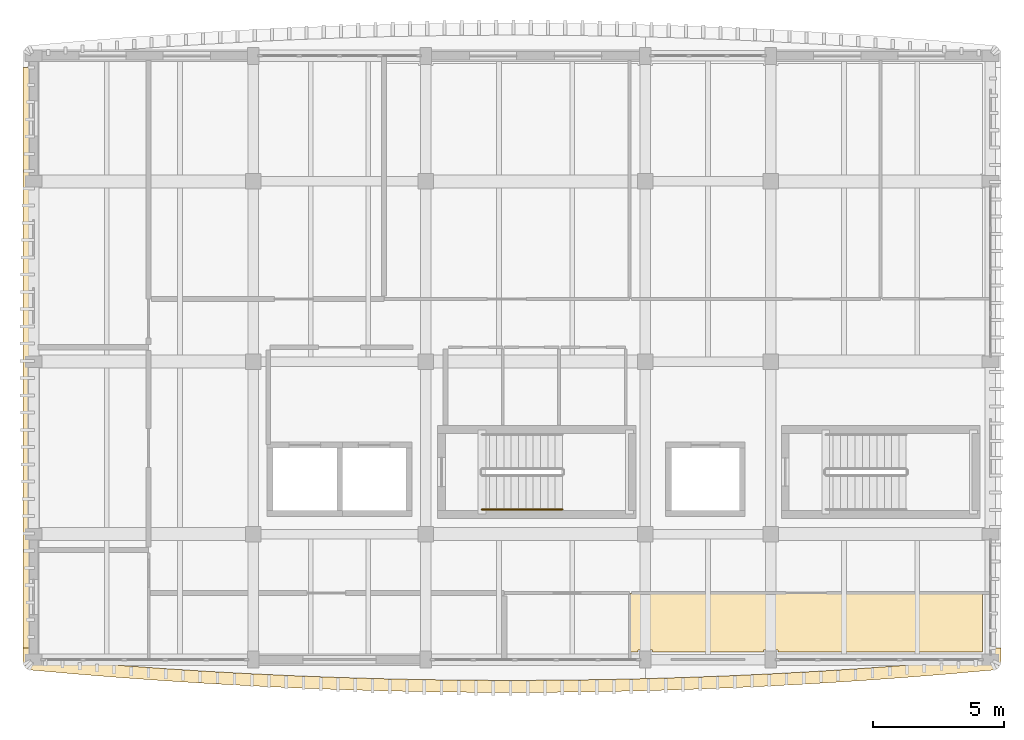
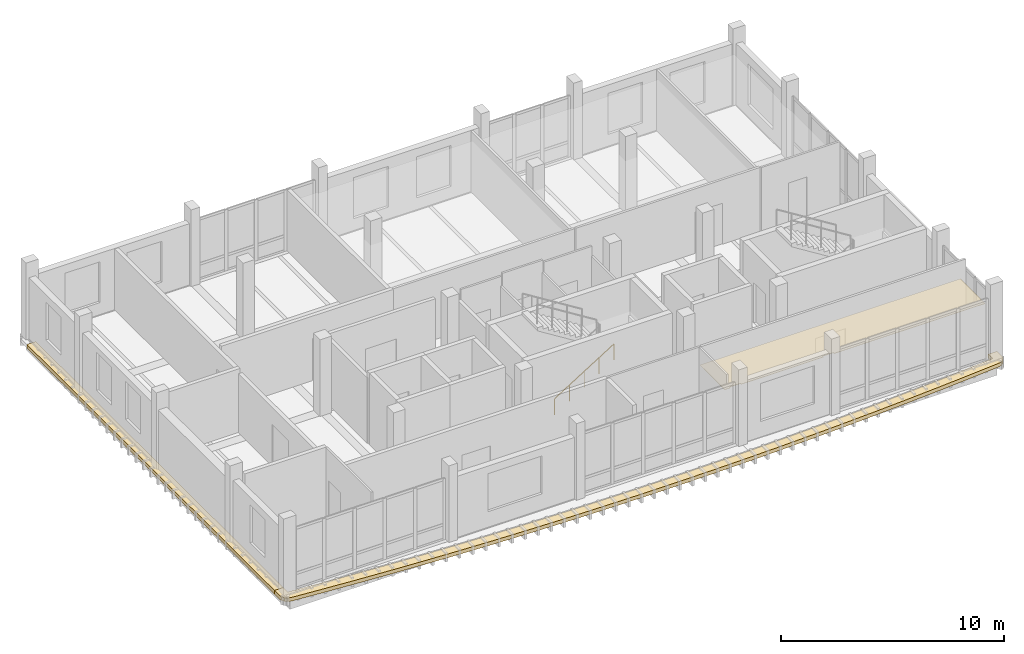
# One storey, part 10 of 16: 3 coverings, 1 railing.
"""IFC4 building model written with IfcOpenShell, lengths in metres."""

from ifc_helpers import new_model, si_unit, direction, frame, origin, origin_2d, place, context, subcontext, project, spatial, polyline, circle, outline, extrude, material, layer, layer_set, type_object, element, save


model = new_model("IFC4")

# Units and contexts
model_context = context("Model", 3, precision=1e-05, world=origin(), true_north=direction((0.0, 1.0)))
body_context = subcontext(model_context, "Body", "Model", "MODEL_VIEW")
ifc_project = project(units=[si_unit("LENGTHUNIT", "METRE"), si_unit("AREAUNIT", "SQUARE_METRE"), si_unit("VOLUMEUNIT", "CUBIC_METRE"), si_unit("PLANEANGLEUNIT", "RADIAN"), si_unit("MASSUNIT", "GRAM", prefix="KILO")], contexts=[model_context])

# Site, building, storey
site_placement = place(None, origin())
site = spatial("IfcSite", under=ifc_project, at=site_placement, CompositionType="ELEMENT")
building_placement = place(site_placement, origin())
building = spatial("IfcBuilding", under=site, at=building_placement, Name="Dornvale Research Institute", CompositionType="ELEMENT")
storey_placement = place(building_placement, frame((0.0, 0.0, 42.60009765625)))
storey = spatial("IfcBuildingStorey", under=building, at=storey_placement, Name="L09", CompositionType="ELEMENT", Elevation=42.60009765625)

# Coverings
ifc_material_1 = material(Name="Mineral-Fibre Acoustic Lay-In Ceiling Tile System")
ifc_layer_1 = layer(ifc_material_1, 0.02001953125)
ifc_layer_set_1 = layer_set([ifc_layer_1], Name="Mineral-Fibre Acoustic Lay-In Ceiling Tile System")
covering_type_1 = type_object("IfcCoveringType", Name="Covering_Acoustic_Ceiling", PredefinedType="CEILING", material=ifc_layer_set_1)
covering_1_placement = place(storey_placement, frame((0.0, 0.0, 2.849853515625)))
element("IfcCovering", 1, at=covering_1_placement, inside=storey, type_object=covering_type_1, Name="L09 Fellows Seminar Reading Room L09 suspended ceiling", PredefinedType="CEILING", context=body_context, shape_type="SweptSolid", body=[
    extrude(outline(polyline([(32.72509765625, 99.300048828125), (28.47509765625, 99.300048828125), (28.47509765625, 99.375), (27.925048828125, 99.375), (27.925048828125, 99.300048828125), (27.6201171875, 99.300048828125), (27.6201171875, 101.530029296875), (41.10009765625, 101.530029296875), (41.10009765625, 99.300048828125), (33.27490234375, 99.300048828125), (33.27490234375, 99.375), (32.72509765625, 99.375), (32.72509765625, 99.300048828125)])), origin(), (0.0, 0.0, 1.0), 0.02001953125),
])
ifc_material_2 = material(Name="Polychrome Glazed Terracotta Visor Rib Ceramic", Category="masonry")
ifc_layer_2 = layer(ifc_material_2, 0.199951171875)
ifc_layer_set_2 = layer_set([ifc_layer_2], Name="Polychrome Glazed Terracotta Visor Rib Ceramic")
covering_type_2 = type_object("IfcCoveringType", Name="Covering_VisorBrim_Shelf", PredefinedType="CLADDING", material=ifc_layer_set_2)
covering_2_placement = place(storey_placement, frame((0.0, 0.0, -0.280029296875)))
element("IfcCovering", 2, at=covering_2_placement, inside=storey, type_object=covering_type_2, Name="L09 V5 canted bowed-brim visor hood #36", PredefinedType="CLADDING", context=body_context, shape_type="SweptSolid", body=[
    extrude(outline(polyline([(41.80322265625, 99.0), (41.77587890625, 98.85400390625), (41.697509765625, 98.727783203125), (41.57861328125, 98.638427734375), (41.435546875, 98.598388671875), (39.77197265625, 98.450927734375), (39.768798828125, 98.45068359375), (38.10498046875, 98.317138671875), (38.1015625, 98.31689453125), (36.43798828125, 98.197509765625), (36.4345703125, 98.197265625), (34.77099609375, 98.091796875), (34.767578125, 98.091552734375), (33.10400390625, 98.000244140625), (33.1005859375, 98.0), (31.43701171875, 97.9228515625), (31.43359375, 97.922607421875), (29.769775390625, 97.859619140625), (29.766357421875, 97.859375), (28.102783203125, 97.810302734375), (28.099365234375, 97.81005859375), (26.435791015625, 97.77490234375), (26.432373046875, 97.77490234375), (24.768798828125, 97.75390625), (24.765380859375, 97.75390625), (23.101806640625, 97.746826171875), (23.098388671875, 97.746826171875), (21.434814453125, 97.75390625), (21.431396484375, 97.75390625), (19.767578125, 97.77490234375), (19.76416015625, 97.77490234375), (18.1005859375, 97.81005859375), (18.09716796875, 97.810302734375), (16.43359375, 97.859375), (16.43017578125, 97.859619140625), (14.7666015625, 97.922607421875), (14.76318359375, 97.9228515625), (13.099609375, 98.0), (13.09619140625, 98.000244140625), (11.432373046875, 98.091552734375), (11.428955078125, 98.091796875), (9.765380859375, 98.197265625), (9.761962890625, 98.197509765625), (8.098388671875, 98.31689453125), (8.094970703125, 98.317138671875), (6.431396484375, 98.45068359375), (6.427978515625, 98.450927734375), (4.764404296875, 98.598388671875), (4.621337890625, 98.638427734375), (4.502685546875, 98.727783203125), (4.42431640625, 98.85400390625), (4.396728515625, 99.0), (4.396728515625, 99.449951171875), (4.860107421875, 99.449951171875), (4.860107421875, 99.054931640625), (6.468505859375, 98.912353515625), (8.1318359375, 98.77880859375), (9.794921875, 98.659423828125), (11.4580078125, 98.55419921875), (13.12109375, 98.462890625), (14.7841796875, 98.385498046875), (16.447509765625, 98.322509765625), (18.110595703125, 98.273193359375), (19.773681640625, 98.238037109375), (21.43701171875, 98.217041015625), (23.10009765625, 98.2099609375), (24.76318359375, 98.217041015625), (26.42626953125, 98.238037109375), (28.08935546875, 98.273193359375), (29.75244140625, 98.322509765625), (31.415771484375, 98.385498046875), (33.078857421875, 98.462890625), (34.741943359375, 98.55419921875), (36.405029296875, 98.659423828125), (38.068115234375, 98.77880859375), (39.7314453125, 98.912353515625), (41.340087890625, 99.054931640625), (41.340087890625, 99.449951171875), (41.80322265625, 99.449951171875), (41.80322265625, 99.0)])), origin(), (0.0, 0.0, 1.0), 0.199951171875),
])
covering_3_placement = place(storey_placement, frame((0.0, 0.0, -0.280029296875)))
element("IfcCovering", 3, at=covering_3_placement, inside=storey, type_object=covering_type_2, Name="L09 V5 canted bowed-brim visor hood #38", PredefinedType="CLADDING", context=body_context, shape_type="SweptSolid", body=[
    extrude(outline(polyline([(4.396728515625, 121.64990234375), (4.860107421875, 121.64990234375), (4.860107421875, 99.449951171875), (4.396728515625, 99.449951171875), (4.396728515625, 121.64990234375)])), origin(), (0.0, 0.0, 1.0), 0.199951171875),
])

# Railing
ifc_material_3 = material(Name="Galvanized Painted Tubular Steel Stair Rail", Category="steel")
ifc_layer_3 = layer(ifc_material_3, 0.044921875)
ifc_layer_set_3 = layer_set([ifc_layer_3], Name="Galvanized Painted Tubular Steel Stair Rail")
railing_type = type_object("IfcRailingType", Name="Railing_Stair_Handrail_900", PredefinedType="HANDRAIL", material=ifc_layer_set_3)
railing_placement = place(storey_placement, frame((21.949951171875, 104.75, 0.1748046875)))
element("IfcRailing", 4, at=railing_placement, inside=storey, type_object=railing_type, Name="L09 ST-1 stair handrail 1", PredefinedType="HANDRAIL", context=body_context, shape_type="SweptSolid", body=[
    extrude(circle(Radius=0.02392578125, at=origin_2d()), frame((0.0, 0.0, 0.8759765625), z_axis=(0.847998304005, 0.0, 0.529998940003), x_axis=(0.0, 1.0, 0.0)), (0.0, 0.0, 1.0), 3.632080078125),
    extrude(circle(Radius=0.02099609375, at=origin_2d()), origin(), (0.0, 0.0, 1.0), 0.851806640625),
    extrude(circle(Radius=0.02099609375, at=origin_2d()), frame((0.77001953125, 0.0, 0.481201171875)), (0.0, 0.0, 1.0), 0.851806640625),
    extrude(circle(Radius=0.02099609375, at=origin_2d()), frame((1.5400390625, 0.0, 0.96240234375)), (0.0, 0.0, 1.0), 0.851806640625),
    extrude(circle(Radius=0.02099609375, at=origin_2d()), frame((2.31005859375, 0.0, 1.44384765625)), (0.0, 0.0, 1.0), 0.851806640625),
    extrude(circle(Radius=0.02099609375, at=origin_2d()), frame((3.080078125, 0.0, 1.925048828125)), (0.0, 0.0, 1.0), 0.851806640625),
])

save(model, "model.ifc")
